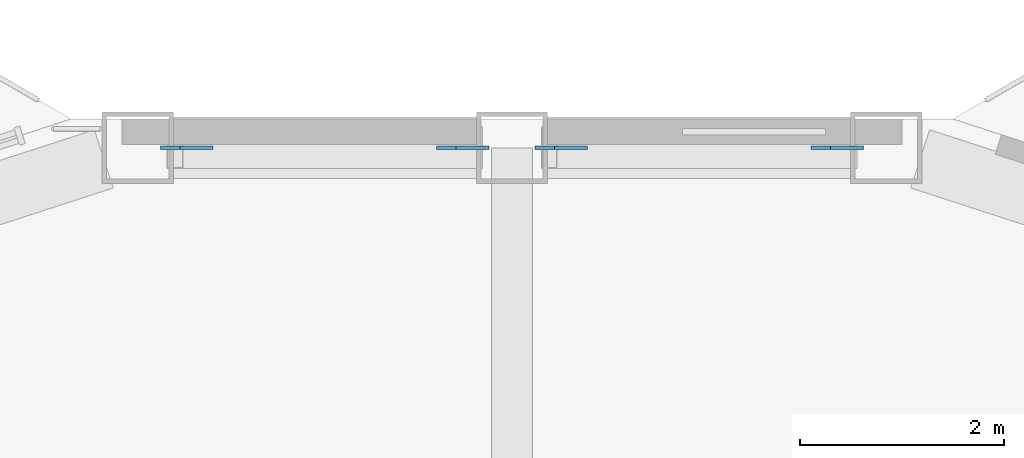
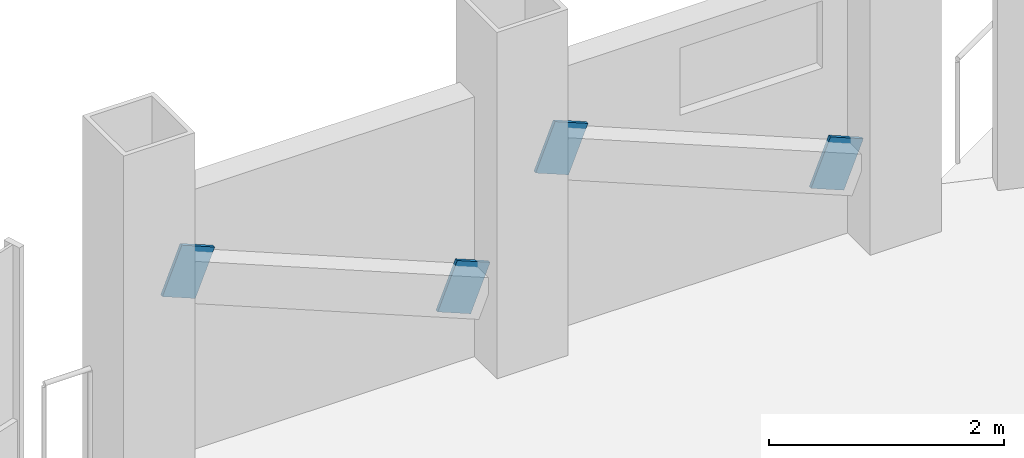
# One storey, part 18 of 24: 4 discrete accessories.
"""IFC4 building model written with IfcOpenShell, lengths in metres."""

from ifc_helpers import new_model, si_unit, direction, frame, origin, origin_2d, place, context, subcontext, project, spatial, rectangle, extrude, material, material_profile, profile_set, type_object, element, save


model = new_model("IFC4")

# Units and contexts
model_context = context("Model", 3, precision=1e-05, world=origin(), true_north=direction((0.0, 1.0)))
body_context = subcontext(model_context, "Body", "Model", "MODEL_VIEW")
ifc_project = project(units=[si_unit("LENGTHUNIT", "METRE"), si_unit("AREAUNIT", "SQUARE_METRE"), si_unit("VOLUMEUNIT", "CUBIC_METRE"), si_unit("PLANEANGLEUNIT", "RADIAN"), si_unit("MASSUNIT", "GRAM", prefix="KILO")], contexts=[model_context])

# Site, building, storey
site_placement = place(None, origin())
site = spatial("IfcSite", under=ifc_project, at=site_placement, CompositionType="ELEMENT")
building_placement = place(site_placement, origin())
building = spatial("IfcBuilding", under=site, at=building_placement, Name="Cormorant Prow Tower", CompositionType="ELEMENT")
storey_placement = place(building_placement, frame((0.0, 0.0, 231.0)))
storey = spatial("IfcBuildingStorey", under=building, at=storey_placement, Name="L50", CompositionType="ELEMENT", Elevation=231.0)

# Discrete accessories
ifc_material = material(Name="Structural steel ASTM A500 Gr C", Category="steel")
ifc_material_profile = material_profile(ifc_material, rectangle(XDim=0.031982421875, YDim=0.506103515625, at=origin_2d()), Name="Gusset plate 32x506")
ifc_profile_set = profile_set([ifc_material_profile], Name="Structural steel ASTM A500 Gr C")
discrete_accessory_type = type_object("IfcDiscreteAccessoryType", Name="Gusset plate 32x506", PredefinedType="BRACKET", material=ifc_profile_set)
discrete_accessory_1_placement = place(storey_placement, frame((3.027099609375, 32.073486328125, 0.863037109375), z_axis=(0.925513623242, 0.0, -0.378714316067), x_axis=(0.0, 1.0, 0.0)))
element("IfcDiscreteAccessory", 1, at=discrete_accessory_1_placement, inside=storey, type_object=discrete_accessory_type, Name="Gusset plate GP2 L50.N00.g0", PredefinedType="BRACKET", context=body_context, shape_type="SweptSolid", body=[
    extrude(rectangle(XDim=0.031982421875, YDim=0.506103515625, at=origin_2d()), origin(), (0.0, 0.0, 1.0), 0.35009765625),
])
discrete_accessory_2_placement = place(storey_placement, frame((0.643310546875, 32.073486328125, 1.837890625), z_axis=(-0.925757954086, 0.0, 0.378116662483), x_axis=(0.0, -1.0, 0.0)))
element("IfcDiscreteAccessory", 2, at=discrete_accessory_2_placement, inside=storey, type_object=discrete_accessory_type, Name="Gusset plate GP2 L50.N00.g1", PredefinedType="BRACKET", context=body_context, shape_type="SweptSolid", body=[
    extrude(rectangle(XDim=0.031982421875, YDim=0.506103515625, at=origin_2d()), origin(), (0.0, 0.0, 1.0), 0.349853515625),
])
discrete_accessory_3_placement = place(storey_placement, frame((-0.643310546875, 32.073486328125, 0.863037109375), z_axis=(0.925513623242, 0.0, -0.378714316067), x_axis=(0.0, 1.0, 0.0)))
element("IfcDiscreteAccessory", 3, at=discrete_accessory_3_placement, inside=storey, type_object=discrete_accessory_type, Name="Gusset plate GP2 L50.N01.g0", PredefinedType="BRACKET", context=body_context, shape_type="SweptSolid", body=[
    extrude(rectangle(XDim=0.031982421875, YDim=0.506103515625, at=origin_2d()), origin(), (0.0, 0.0, 1.0), 0.35009765625),
])
discrete_accessory_4_placement = place(storey_placement, frame((-3.027099609375, 32.073486328125, 1.837890625), z_axis=(-0.925757954086, 0.0, 0.378116662483), x_axis=(0.0, -1.0, 0.0)))
element("IfcDiscreteAccessory", 4, at=discrete_accessory_4_placement, inside=storey, type_object=discrete_accessory_type, Name="Gusset plate GP2 L50.N01.g1", PredefinedType="BRACKET", context=body_context, shape_type="SweptSolid", body=[
    extrude(rectangle(XDim=0.031982421875, YDim=0.506103515625, at=origin_2d()), origin(), (0.0, 0.0, 1.0), 0.349853515625),
])

save(model, "model.ifc")
